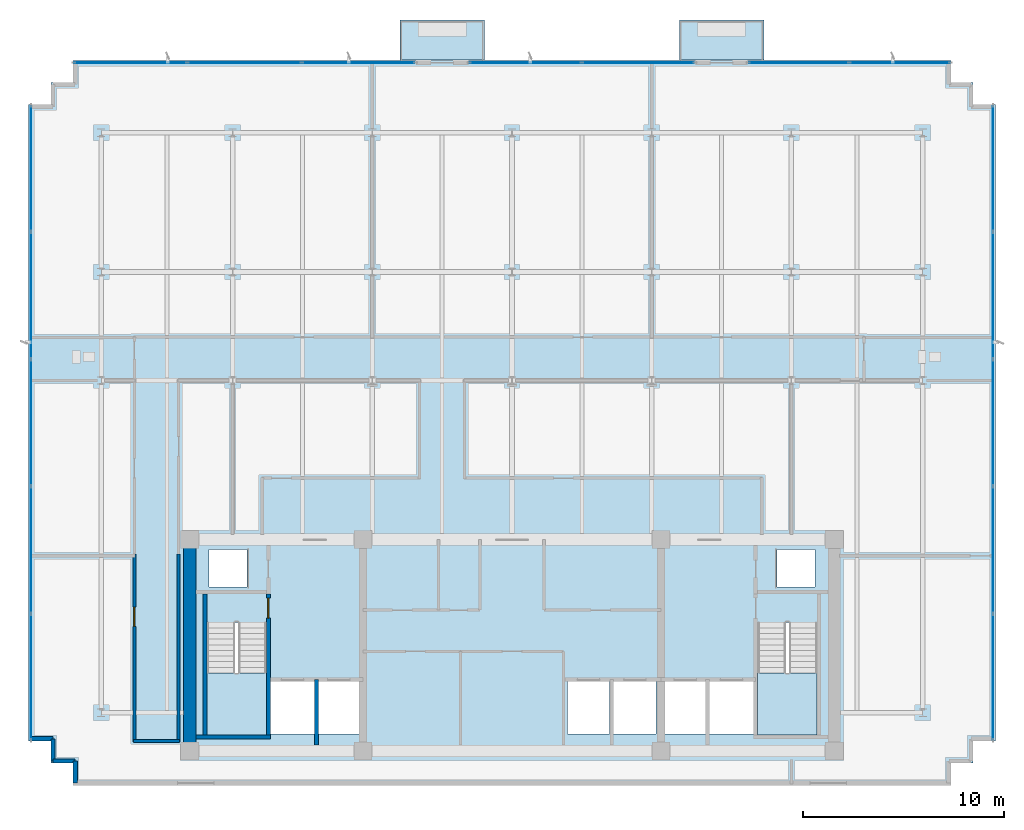
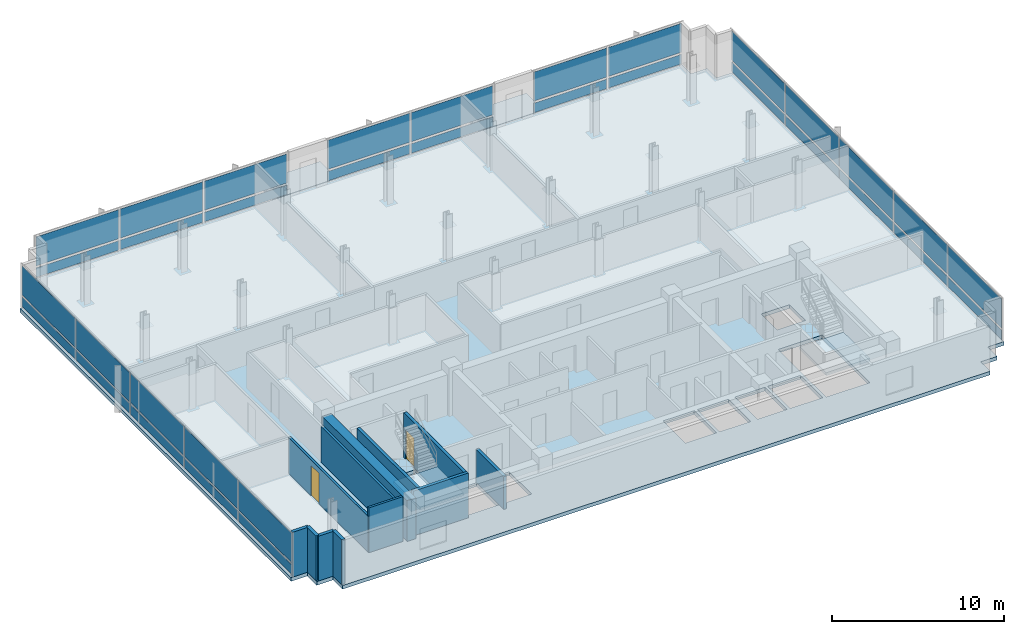
# One storey, part 7 of 15: 34 plates, 12 walls, 5 slabs, 2 doors, 2 openings, 7 elements without a shape of their own.
"""IFC4 building model written with IfcOpenShell, lengths in metres."""

from ifc_helpers import new_model, si_unit, direction, frame, frame_2d, origin, origin_2d, place, context, subcontext, project, spatial, polyline, rectangle, outline, extrude, material, layer, layer_set, type_object, element, fill, aggregate, save


model = new_model("IFC4")

# Units and contexts
model_context = context("Model", 3, precision=1e-05, world=origin(), true_north=direction((0.0, 1.0)))
body_context = subcontext(model_context, "Body", "Model", "MODEL_VIEW")
ifc_project = project(units=[si_unit("LENGTHUNIT", "METRE"), si_unit("AREAUNIT", "SQUARE_METRE"), si_unit("VOLUMEUNIT", "CUBIC_METRE"), si_unit("PLANEANGLEUNIT", "RADIAN"), si_unit("MASSUNIT", "GRAM", prefix="KILO")], contexts=[model_context])

# Site, building, storey
site_placement = place(None, origin())
site = spatial("IfcSite", under=ifc_project, at=site_placement, CompositionType="ELEMENT")
building_placement = place(site_placement, origin())
building = spatial("IfcBuilding", under=site, at=building_placement, Name="Solmavex Isthmus Hotel", CompositionType="ELEMENT")
storey_placement = place(building_placement, frame((0.0, 0.0, 273.0)))
storey = spatial("IfcBuildingStorey", under=building, at=storey_placement, Name="L74", CompositionType="ELEMENT", Elevation=273.0)

# Curtain wall, plates
ifc_material_1 = material(Name="Aluminium alloy 6063-T6", Category="aluminium")
curtain_wall_type = type_object("IfcCurtainWallType", Name="CW-SYS-04", PredefinedType="NOTDEFINED", material=ifc_material_1)
curtain_wall_1_placement = place(storey_placement, origin())
curtain_wall_1 = element("IfcCurtainWall", 1, at=curtain_wall_1_placement, inside=storey, type_object=curtain_wall_type, Name="Stick Curtain Wall CWL-L74-N1", PredefinedType="NOTDEFINED")
ifc_material_2 = material(Name="Clear low-E laminated glass", Category="glass")
ifc_layer_1 = layer(ifc_material_2, 0.033935546875)
ifc_layer_set_1 = layer_set([ifc_layer_1], Name="Clear low-E laminated glass")
plate_type = type_object("IfcPlateType", Name="CW-SYS-04-PNL", PredefinedType="CURTAIN_PANEL", material=ifc_layer_set_1)
plate_1_placement = place(storey_placement, frame((-18.942626953125, 21.179931640625, 0.14990234375), z_axis=(0.0, 0.0, 1.0), x_axis=(1.0, 0.0, 0.0)))
plate_1 = element("IfcPlate", 2, at=plate_1_placement, type_object=plate_type, Name="CW-04 panel 1.1", PredefinedType="CURTAIN_PANEL", context=body_context, shape_type="SweptSolid", body=[
    extrude(rectangle(XDim=5.56494140625, YDim=0.033935546875, at=origin_2d()), origin(), (0.0, 0.0, 1.0), 0.675048828125),
])
plate_2_placement = place(storey_placement, frame((-18.942626953125, 21.179931640625, 0.97509765625), z_axis=(0.0, 0.0, 1.0), x_axis=(1.0, 0.0, 0.0)))
plate_2 = element("IfcPlate", 3, at=plate_2_placement, type_object=plate_type, Name="CW-04 panel 1.2", PredefinedType="CURTAIN_PANEL", context=body_context, shape_type="SweptSolid", body=[
    extrude(rectangle(XDim=5.56494140625, YDim=0.033935546875, at=origin_2d()), origin(), (0.0, 0.0, 1.0), 2.06494140625),
])
plate_3_placement = place(storey_placement, frame((-13.283935546875, 21.179931640625, 0.14990234375), z_axis=(0.0, 0.0, 1.0), x_axis=(1.0, 0.0, 0.0)))
plate_3 = element("IfcPlate", 4, at=plate_3_placement, type_object=plate_type, Name="CW-04 panel 2.1", PredefinedType="CURTAIN_PANEL", context=body_context, shape_type="SweptSolid", body=[
    extrude(rectangle(XDim=5.602294921875, YDim=0.033935546875, at=origin_2d()), origin(), (0.0, 0.0, 1.0), 0.675048828125),
])
plate_4_placement = place(storey_placement, frame((-13.283935546875, 21.179931640625, 0.97509765625), z_axis=(0.0, 0.0, 1.0), x_axis=(1.0, 0.0, 0.0)))
plate_4 = element("IfcPlate", 5, at=plate_4_placement, type_object=plate_type, Name="CW-04 panel 2.2", PredefinedType="CURTAIN_PANEL", context=body_context, shape_type="SweptSolid", body=[
    extrude(rectangle(XDim=5.602294921875, YDim=0.033935546875, at=origin_2d()), origin(), (0.0, 0.0, 1.0), 2.06494140625),
])
plate_5_placement = place(storey_placement, frame((-7.62548828125, 21.179931640625, 0.14990234375), z_axis=(0.0, 0.0, 1.0), x_axis=(1.0, 0.0, 0.0)))
plate_5 = element("IfcPlate", 6, at=plate_5_placement, type_object=plate_type, Name="CW-04 panel 3.1", PredefinedType="CURTAIN_PANEL", context=body_context, shape_type="SweptSolid", body=[
    extrude(rectangle(XDim=5.56494140625, YDim=0.033935546875, at=origin_2d()), origin(), (0.0, 0.0, 1.0), 0.675048828125),
])
plate_6_placement = place(storey_placement, frame((-7.62548828125, 21.179931640625, 0.97509765625), z_axis=(0.0, 0.0, 1.0), x_axis=(1.0, 0.0, 0.0)))
plate_6 = element("IfcPlate", 7, at=plate_6_placement, type_object=plate_type, Name="CW-04 panel 3.2", PredefinedType="CURTAIN_PANEL", context=body_context, shape_type="SweptSolid", body=[
    extrude(rectangle(XDim=5.56494140625, YDim=0.033935546875, at=origin_2d()), origin(), (0.0, 0.0, 1.0), 2.06494140625),
])
aggregate(curtain_wall_1, [plate_1, plate_2, plate_3, plate_4, plate_5, plate_6])

curtain_wall_2_placement = place(storey_placement, origin())
curtain_wall_2 = element("IfcCurtainWall", 8, at=curtain_wall_2_placement, inside=storey, type_object=curtain_wall_type, Name="Stick Curtain Wall CWL-L74-N2", PredefinedType="NOTDEFINED")
plate_7_placement = place(storey_placement, frame((0.668701171875, 21.179931640625, 0.14990234375), z_axis=(0.0, 0.0, 1.0), x_axis=(1.0, 0.0, 0.0)))
plate_7 = element("IfcPlate", 9, at=plate_7_placement, type_object=plate_type, Name="CW-04 panel 1.1", PredefinedType="CURTAIN_PANEL", context=body_context, shape_type="SweptSolid", body=[
    extrude(rectangle(XDim=5.5234375, YDim=0.033935546875, at=origin_2d()), origin(), (0.0, 0.0, 1.0), 0.675048828125),
])
plate_8_placement = place(storey_placement, frame((0.668701171875, 21.179931640625, 0.97509765625), z_axis=(0.0, 0.0, 1.0), x_axis=(1.0, 0.0, 0.0)))
plate_8 = element("IfcPlate", 10, at=plate_8_placement, type_object=plate_type, Name="CW-04 panel 1.2", PredefinedType="CURTAIN_PANEL", context=body_context, shape_type="SweptSolid", body=[
    extrude(rectangle(XDim=5.5234375, YDim=0.033935546875, at=origin_2d()), origin(), (0.0, 0.0, 1.0), 2.06494140625),
])
plate_9_placement = place(storey_placement, frame((6.267333984375, 21.179931640625, 0.14990234375), z_axis=(0.0, 0.0, 1.0), x_axis=(1.0, 0.0, 0.0)))
plate_9 = element("IfcPlate", 11, at=plate_9_placement, type_object=plate_type, Name="CW-04 panel 2.1", PredefinedType="CURTAIN_PANEL", context=body_context, shape_type="SweptSolid", body=[
    extrude(rectangle(XDim=5.5234375, YDim=0.033935546875, at=origin_2d()), origin(), (0.0, 0.0, 1.0), 0.675048828125),
])
plate_10_placement = place(storey_placement, frame((6.267333984375, 21.179931640625, 0.97509765625), z_axis=(0.0, 0.0, 1.0), x_axis=(1.0, 0.0, 0.0)))
plate_10 = element("IfcPlate", 12, at=plate_10_placement, type_object=plate_type, Name="CW-04 panel 2.2", PredefinedType="CURTAIN_PANEL", context=body_context, shape_type="SweptSolid", body=[
    extrude(rectangle(XDim=5.5234375, YDim=0.033935546875, at=origin_2d()), origin(), (0.0, 0.0, 1.0), 2.06494140625),
])
aggregate(curtain_wall_2, [plate_7, plate_8, plate_9, plate_10])

curtain_wall_3_placement = place(storey_placement, origin())
curtain_wall_3 = element("IfcCurtainWall", 13, at=curtain_wall_3_placement, inside=storey, type_object=curtain_wall_type, Name="Stick Curtain Wall CWL-L74-N3", PredefinedType="NOTDEFINED")
plate_11_placement = place(storey_placement, frame((14.246826171875, 21.179931640625, 0.14990234375), z_axis=(0.0, 0.0, 1.0), x_axis=(1.0, 0.0, 0.0)))
plate_11 = element("IfcPlate", 14, at=plate_11_placement, type_object=plate_type, Name="CW-04 panel 1.1", PredefinedType="CURTAIN_PANEL", context=body_context, shape_type="SweptSolid", body=[
    extrude(rectangle(XDim=4.935546875, YDim=0.033935546875, at=origin_2d()), origin(), (0.0, 0.0, 1.0), 0.675048828125),
])
plate_12_placement = place(storey_placement, frame((14.246826171875, 21.179931640625, 0.97509765625), z_axis=(0.0, 0.0, 1.0), x_axis=(1.0, 0.0, 0.0)))
plate_12 = element("IfcPlate", 15, at=plate_12_placement, type_object=plate_type, Name="CW-04 panel 1.2", PredefinedType="CURTAIN_PANEL", context=body_context, shape_type="SweptSolid", body=[
    extrude(rectangle(XDim=4.935546875, YDim=0.033935546875, at=origin_2d()), origin(), (0.0, 0.0, 1.0), 2.06494140625),
])
plate_13_placement = place(storey_placement, frame((19.25732421875, 21.179931640625, 0.14990234375), z_axis=(0.0, 0.0, 1.0), x_axis=(1.0, 0.0, 0.0)))
plate_13 = element("IfcPlate", 16, at=plate_13_placement, type_object=plate_type, Name="CW-04 panel 2.1", PredefinedType="CURTAIN_PANEL", context=body_context, shape_type="SweptSolid", body=[
    extrude(rectangle(XDim=4.935546875, YDim=0.033935546875, at=origin_2d()), origin(), (0.0, 0.0, 1.0), 0.675048828125),
])
plate_14_placement = place(storey_placement, frame((19.25732421875, 21.179931640625, 0.97509765625), z_axis=(0.0, 0.0, 1.0), x_axis=(1.0, 0.0, 0.0)))
plate_14 = element("IfcPlate", 17, at=plate_14_placement, type_object=plate_type, Name="CW-04 panel 2.2", PredefinedType="CURTAIN_PANEL", context=body_context, shape_type="SweptSolid", body=[
    extrude(rectangle(XDim=4.935546875, YDim=0.033935546875, at=origin_2d()), origin(), (0.0, 0.0, 1.0), 2.06494140625),
])
aggregate(curtain_wall_3, [plate_11, plate_12, plate_13, plate_14])

curtain_wall_4_placement = place(storey_placement, origin())
curtain_wall_4 = element("IfcCurtainWall", 18, at=curtain_wall_4_placement, inside=storey, type_object=curtain_wall_type, Name="Stick Curtain Wall CWL-L74-W1", PredefinedType="NOTDEFINED")
plate_15_placement = place(storey_placement, frame((-23.8798828125, -9.3212890625, 0.14990234375), z_axis=(0.0, 0.0, 1.0), x_axis=(0.0, 1.0, 0.0)))
plate_15 = element("IfcPlate", 19, at=plate_15_placement, type_object=plate_type, Name="CW-04 panel 1.1", PredefinedType="CURTAIN_PANEL", context=body_context, shape_type="SweptSolid", body=[
    extrude(rectangle(XDim=6.20751953125, YDim=0.033935546875, at=origin_2d()), origin(), (0.0, 0.0, 1.0), 0.675048828125),
])
plate_16_placement = place(storey_placement, frame((-23.8798828125, -9.3212890625, 0.97509765625), z_axis=(0.0, 0.0, 1.0), x_axis=(0.0, 1.0, 0.0)))
plate_16 = element("IfcPlate", 20, at=plate_16_placement, type_object=plate_type, Name="CW-04 panel 1.2", PredefinedType="CURTAIN_PANEL", context=body_context, shape_type="SweptSolid", body=[
    extrude(rectangle(XDim=6.20751953125, YDim=0.033935546875, at=origin_2d()), origin(), (0.0, 0.0, 1.0), 2.06494140625),
])
plate_17_placement = place(storey_placement, frame((-23.8798828125, -3.02001953125, 0.14990234375), z_axis=(0.0, 0.0, 1.0), x_axis=(0.0, 1.0, 0.0)))
plate_17 = element("IfcPlate", 21, at=plate_17_placement, type_object=plate_type, Name="CW-04 panel 2.1", PredefinedType="CURTAIN_PANEL", context=body_context, shape_type="SweptSolid", body=[
    extrude(rectangle(XDim=6.2451171875, YDim=0.033935546875, at=origin_2d()), origin(), (0.0, 0.0, 1.0), 0.675048828125),
])
plate_18_placement = place(storey_placement, frame((-23.8798828125, -3.02001953125, 0.97509765625), z_axis=(0.0, 0.0, 1.0), x_axis=(0.0, 1.0, 0.0)))
plate_18 = element("IfcPlate", 22, at=plate_18_placement, type_object=plate_type, Name="CW-04 panel 2.2", PredefinedType="CURTAIN_PANEL", context=body_context, shape_type="SweptSolid", body=[
    extrude(rectangle(XDim=6.2451171875, YDim=0.033935546875, at=origin_2d()), origin(), (0.0, 0.0, 1.0), 2.06494140625),
])
plate_19_placement = place(storey_placement, frame((-23.8798828125, 3.300048828125, 0.14990234375), z_axis=(0.0, 0.0, 1.0), x_axis=(0.0, 1.0, 0.0)))
plate_19 = element("IfcPlate", 23, at=plate_19_placement, type_object=plate_type, Name="CW-04 panel 3.1", PredefinedType="CURTAIN_PANEL", context=body_context, shape_type="SweptSolid", body=[
    extrude(rectangle(XDim=6.2451171875, YDim=0.033935546875, at=origin_2d()), origin(), (0.0, 0.0, 1.0), 0.675048828125),
])
plate_20_placement = place(storey_placement, frame((-23.8798828125, 3.300048828125, 0.97509765625), z_axis=(0.0, 0.0, 1.0), x_axis=(0.0, 1.0, 0.0)))
plate_20 = element("IfcPlate", 24, at=plate_20_placement, type_object=plate_type, Name="CW-04 panel 3.2", PredefinedType="CURTAIN_PANEL", context=body_context, shape_type="SweptSolid", body=[
    extrude(rectangle(XDim=6.2451171875, YDim=0.033935546875, at=origin_2d()), origin(), (0.0, 0.0, 1.0), 2.06494140625),
])
plate_21_placement = place(storey_placement, frame((-23.8798828125, 9.6201171875, 0.14990234375), z_axis=(0.0, 0.0, 1.0), x_axis=(0.0, 1.0, 0.0)))
plate_21 = element("IfcPlate", 25, at=plate_21_placement, type_object=plate_type, Name="CW-04 panel 4.1", PredefinedType="CURTAIN_PANEL", context=body_context, shape_type="SweptSolid", body=[
    extrude(rectangle(XDim=6.2451171875, YDim=0.033935546875, at=origin_2d()), origin(), (0.0, 0.0, 1.0), 0.675048828125),
])
plate_22_placement = place(storey_placement, frame((-23.8798828125, 9.6201171875, 0.97509765625), z_axis=(0.0, 0.0, 1.0), x_axis=(0.0, 1.0, 0.0)))
plate_22 = element("IfcPlate", 26, at=plate_22_placement, type_object=plate_type, Name="CW-04 panel 4.2", PredefinedType="CURTAIN_PANEL", context=body_context, shape_type="SweptSolid", body=[
    extrude(rectangle(XDim=6.2451171875, YDim=0.033935546875, at=origin_2d()), origin(), (0.0, 0.0, 1.0), 2.06494140625),
])
plate_23_placement = place(storey_placement, frame((-23.8798828125, 15.921142578125, 0.14990234375), z_axis=(0.0, 0.0, 1.0), x_axis=(0.0, 1.0, 0.0)))
plate_23 = element("IfcPlate", 27, at=plate_23_placement, type_object=plate_type, Name="CW-04 panel 5.1", PredefinedType="CURTAIN_PANEL", context=body_context, shape_type="SweptSolid", body=[
    extrude(rectangle(XDim=6.20751953125, YDim=0.033935546875, at=origin_2d()), origin(), (0.0, 0.0, 1.0), 0.675048828125),
])
plate_24_placement = place(storey_placement, frame((-23.8798828125, 15.921142578125, 0.97509765625), z_axis=(0.0, 0.0, 1.0), x_axis=(0.0, 1.0, 0.0)))
plate_24 = element("IfcPlate", 28, at=plate_24_placement, type_object=plate_type, Name="CW-04 panel 5.2", PredefinedType="CURTAIN_PANEL", context=body_context, shape_type="SweptSolid", body=[
    extrude(rectangle(XDim=6.20751953125, YDim=0.033935546875, at=origin_2d()), origin(), (0.0, 0.0, 1.0), 2.06494140625),
])
aggregate(curtain_wall_4, [plate_15, plate_16, plate_17, plate_18, plate_19, plate_20, plate_21, plate_22, plate_23, plate_24])

curtain_wall_5_placement = place(storey_placement, origin())
curtain_wall_5 = element("IfcCurtainWall", 29, at=curtain_wall_5_placement, inside=storey, type_object=curtain_wall_type, Name="Stick Curtain Wall CWL-L74-E1", PredefinedType="NOTDEFINED")
plate_25_placement = place(storey_placement, frame((23.8798828125, -9.3212890625, 0.14990234375), z_axis=(0.0, 0.0, 1.0), x_axis=(0.0, 1.0, 0.0)))
plate_25 = element("IfcPlate", 30, at=plate_25_placement, type_object=plate_type, Name="CW-04 panel 1.1", PredefinedType="CURTAIN_PANEL", context=body_context, shape_type="SweptSolid", body=[
    extrude(rectangle(XDim=6.20751953125, YDim=0.033935546875, at=origin_2d()), origin(), (0.0, 0.0, 1.0), 0.675048828125),
])
plate_26_placement = place(storey_placement, frame((23.8798828125, -9.3212890625, 0.97509765625), z_axis=(0.0, 0.0, 1.0), x_axis=(0.0, 1.0, 0.0)))
plate_26 = element("IfcPlate", 31, at=plate_26_placement, type_object=plate_type, Name="CW-04 panel 1.2", PredefinedType="CURTAIN_PANEL", context=body_context, shape_type="SweptSolid", body=[
    extrude(rectangle(XDim=6.20751953125, YDim=0.033935546875, at=origin_2d()), origin(), (0.0, 0.0, 1.0), 2.06494140625),
])
plate_27_placement = place(storey_placement, frame((23.8798828125, -3.02001953125, 0.14990234375), z_axis=(0.0, 0.0, 1.0), x_axis=(0.0, 1.0, 0.0)))
plate_27 = element("IfcPlate", 32, at=plate_27_placement, type_object=plate_type, Name="CW-04 panel 2.1", PredefinedType="CURTAIN_PANEL", context=body_context, shape_type="SweptSolid", body=[
    extrude(rectangle(XDim=6.2451171875, YDim=0.033935546875, at=origin_2d()), origin(), (0.0, 0.0, 1.0), 0.675048828125),
])
plate_28_placement = place(storey_placement, frame((23.8798828125, -3.02001953125, 0.97509765625), z_axis=(0.0, 0.0, 1.0), x_axis=(0.0, 1.0, 0.0)))
plate_28 = element("IfcPlate", 33, at=plate_28_placement, type_object=plate_type, Name="CW-04 panel 2.2", PredefinedType="CURTAIN_PANEL", context=body_context, shape_type="SweptSolid", body=[
    extrude(rectangle(XDim=6.2451171875, YDim=0.033935546875, at=origin_2d()), origin(), (0.0, 0.0, 1.0), 2.06494140625),
])
plate_29_placement = place(storey_placement, frame((23.8798828125, 3.300048828125, 0.14990234375), z_axis=(0.0, 0.0, 1.0), x_axis=(0.0, 1.0, 0.0)))
plate_29 = element("IfcPlate", 34, at=plate_29_placement, type_object=plate_type, Name="CW-04 panel 3.1", PredefinedType="CURTAIN_PANEL", context=body_context, shape_type="SweptSolid", body=[
    extrude(rectangle(XDim=6.2451171875, YDim=0.033935546875, at=origin_2d()), origin(), (0.0, 0.0, 1.0), 0.675048828125),
])
plate_30_placement = place(storey_placement, frame((23.8798828125, 3.300048828125, 0.97509765625), z_axis=(0.0, 0.0, 1.0), x_axis=(0.0, 1.0, 0.0)))
plate_30 = element("IfcPlate", 35, at=plate_30_placement, type_object=plate_type, Name="CW-04 panel 3.2", PredefinedType="CURTAIN_PANEL", context=body_context, shape_type="SweptSolid", body=[
    extrude(rectangle(XDim=6.2451171875, YDim=0.033935546875, at=origin_2d()), origin(), (0.0, 0.0, 1.0), 2.06494140625),
])
plate_31_placement = place(storey_placement, frame((23.8798828125, 9.6201171875, 0.14990234375), z_axis=(0.0, 0.0, 1.0), x_axis=(0.0, 1.0, 0.0)))
plate_31 = element("IfcPlate", 36, at=plate_31_placement, type_object=plate_type, Name="CW-04 panel 4.1", PredefinedType="CURTAIN_PANEL", context=body_context, shape_type="SweptSolid", body=[
    extrude(rectangle(XDim=6.2451171875, YDim=0.033935546875, at=origin_2d()), origin(), (0.0, 0.0, 1.0), 0.675048828125),
])
plate_32_placement = place(storey_placement, frame((23.8798828125, 9.6201171875, 0.97509765625), z_axis=(0.0, 0.0, 1.0), x_axis=(0.0, 1.0, 0.0)))
plate_32 = element("IfcPlate", 37, at=plate_32_placement, type_object=plate_type, Name="CW-04 panel 4.2", PredefinedType="CURTAIN_PANEL", context=body_context, shape_type="SweptSolid", body=[
    extrude(rectangle(XDim=6.2451171875, YDim=0.033935546875, at=origin_2d()), origin(), (0.0, 0.0, 1.0), 2.06494140625),
])
plate_33_placement = place(storey_placement, frame((23.8798828125, 15.921142578125, 0.14990234375), z_axis=(0.0, 0.0, 1.0), x_axis=(0.0, 1.0, 0.0)))
plate_33 = element("IfcPlate", 38, at=plate_33_placement, type_object=plate_type, Name="CW-04 panel 5.1", PredefinedType="CURTAIN_PANEL", context=body_context, shape_type="SweptSolid", body=[
    extrude(rectangle(XDim=6.20751953125, YDim=0.033935546875, at=origin_2d()), origin(), (0.0, 0.0, 1.0), 0.675048828125),
])
plate_34_placement = place(storey_placement, frame((23.8798828125, 15.921142578125, 0.97509765625), z_axis=(0.0, 0.0, 1.0), x_axis=(0.0, 1.0, 0.0)))
plate_34 = element("IfcPlate", 39, at=plate_34_placement, type_object=plate_type, Name="CW-04 panel 5.2", PredefinedType="CURTAIN_PANEL", context=body_context, shape_type="SweptSolid", body=[
    extrude(rectangle(XDim=6.20751953125, YDim=0.033935546875, at=origin_2d()), origin(), (0.0, 0.0, 1.0), 2.06494140625),
])
aggregate(curtain_wall_5, [plate_25, plate_26, plate_27, plate_28, plate_29, plate_30, plate_31, plate_32, plate_33, plate_34])

# Slabs
ifc_material_3 = material(Name="Concrete C40/50", Category="concrete")
ifc_layer_2 = layer(ifc_material_3, 0.239990234375)
ifc_layer_set_2 = layer_set([ifc_layer_2], Name="Concrete C40/50")
slab_type_1 = type_object("IfcSlabType", Name="SLAB-BALC-240", PredefinedType="FLOOR", material=ifc_layer_set_2)
slab_1_placement = place(storey_placement, frame((0.0, 0.0, -0.239990234375)))
element("IfcSlab", 40, at=slab_1_placement, inside=storey, type_object=slab_type_1, Name="Tree-Planter Balcony Slab L74-B1", PredefinedType="FLOOR", context=body_context, shape_type="SweptSolid", body=[
    extrude(outline(polyline([(-5.568115234375, 21.31494140625), (-1.367919921875, 21.31494140625), (-1.367919921875, 23.300048828125), (-5.568115234375, 23.300048828125), (-5.568115234375, 21.31494140625)])), origin(), (0.0, 0.0, 1.0), 0.239990234375),
])
slab_2_placement = place(storey_placement, frame((0.0, 0.0, -0.239990234375)))
element("IfcSlab", 41, at=slab_2_placement, inside=storey, type_object=slab_type_1, Name="Tree-Planter Balcony Slab L74-B2", PredefinedType="FLOOR", context=body_context, shape_type="SweptSolid", body=[
    extrude(outline(polyline([(8.303955078125, 21.31494140625), (12.50390625, 21.31494140625), (12.50390625, 23.300048828125), (8.303955078125, 23.300048828125), (8.303955078125, 21.31494140625)])), origin(), (0.0, 0.0, 1.0), 0.239990234375),
])
ifc_layer_3 = layer(ifc_material_3, 0.260009765625)
ifc_layer_set_3 = layer_set([ifc_layer_3], Name="Concrete C40/50")
slab_type_2 = type_object("IfcSlabType", Name="SLAB-TYP-260", PredefinedType="FLOOR", material=ifc_layer_set_3)
slab_3_placement = place(storey_placement, frame((0.0, 0.0, -0.260009765625)))
element("IfcSlab", 42, at=slab_3_placement, inside=storey, type_object=slab_type_2, Name="Tower Structural Floor Slab L74", PredefinedType="FLOOR", context=body_context, shape_type="SweptSolid", body=[
    extrude(outline(polyline([(-20.699951171875, -14.699951171875), (20.699951171875, -14.699951171875), (21.800048828125, -14.699951171875), (21.800048828125, -13.60009765625), (22.89990234375, -13.60009765625), (22.89990234375, -12.5), (24.0, -12.5), (24.0, -11.39990234375), (24.0, 18.0), (24.0, 19.10009765625), (22.89990234375, 19.10009765625), (22.89990234375, 20.199951171875), (21.800048828125, 20.199951171875), (21.800048828125, 21.300048828125), (20.699951171875, 21.300048828125), (-20.699951171875, 21.300048828125), (-21.800048828125, 21.300048828125), (-21.800048828125, 20.199951171875), (-22.89990234375, 20.199951171875), (-22.89990234375, 19.10009765625), (-24.0, 19.10009765625), (-24.0, 18.0), (-24.0, -11.39990234375), (-24.0, -12.5), (-22.89990234375, -12.5), (-22.89990234375, -13.60009765625), (-21.800048828125, -13.60009765625), (-21.800048828125, -14.699951171875), (-20.699951171875, -14.699951171875)]), holes=[polyline([(-15.14990234375, -6.617919921875), (-15.14990234375, -12.199951171875), (-12.199951171875, -12.199951171875), (-12.199951171875, -6.617919921875), (-15.14990234375, -6.617919921875)]), polyline([(12.199951171875, -6.617919921875), (12.199951171875, -12.199951171875), (15.14990234375, -12.199951171875), (15.14990234375, -6.617919921875), (12.199951171875, -6.617919921875)]), polyline([(-12.0, -12.14990234375), (-9.800048828125, -12.14990234375), (-9.800048828125, -9.550048828125), (-12.0, -9.550048828125), (-12.0, -12.14990234375)]), polyline([(9.800048828125, -12.14990234375), (12.0, -12.14990234375), (12.0, -9.550048828125), (9.800048828125, -9.550048828125), (9.800048828125, -12.14990234375)]), polyline([(-9.60009765625, -12.14990234375), (-7.60009765625, -12.14990234375), (-7.60009765625, -9.550048828125), (-9.60009765625, -9.550048828125), (-9.60009765625, -12.14990234375)]), polyline([(7.60009765625, -12.14990234375), (9.60009765625, -12.14990234375), (9.60009765625, -9.550048828125), (7.60009765625, -9.550048828125), (7.60009765625, -12.14990234375)]), polyline([(2.75, -12.14990234375), (4.85009765625, -12.14990234375), (4.85009765625, -9.550048828125), (2.75, -9.550048828125), (2.75, -12.14990234375)]), polyline([(5.050048828125, -12.14990234375), (7.14990234375, -12.14990234375), (7.14990234375, -9.550048828125), (5.050048828125, -9.550048828125), (5.050048828125, -12.14990234375)]), polyline([(-15.050048828125, -4.85009765625), (-13.14990234375, -4.85009765625), (-13.14990234375, -3.0), (-15.050048828125, -3.0), (-15.050048828125, -4.85009765625)]), polyline([(13.14990234375, -4.85009765625), (15.050048828125, -4.85009765625), (15.050048828125, -3.0), (13.14990234375, -3.0), (13.14990234375, -4.85009765625)])]), origin(), (0.0, 0.0, 1.0), 0.260009765625),
])

# Stair, slab
stair_type_1 = type_object("IfcStairType", Name="STR-ST-1", PredefinedType="HALF_TURN_STAIR", material=ifc_material_3)
stair_1_placement = place(storey_placement, origin())
stair_1 = element("IfcStair", 43, at=stair_1_placement, inside=storey, type_object=stair_type_1, Name="L74 Protected Exit Stair ST-1", PredefinedType="HALF_TURN_STAIR")
ifc_layer_4 = layer(ifc_material_3, 0.219970703125)
ifc_layer_set_4 = layer_set([ifc_layer_4], Name="Concrete C40/50")
slab_type_3 = type_object("IfcSlabType", Name="SLD-ST-1", PredefinedType="LANDING", material=ifc_layer_set_4)
slab_4_placement = place(storey_placement, frame((0.0, 0.0, 1.52490234375)))
slab_4 = element("IfcSlab", 44, at=slab_4_placement, type_object=slab_type_3, Name="ST-1 landing 1", PredefinedType="LANDING", context=body_context, shape_type="SweptSolid", body=[
    extrude(outline(polyline([(-15.14990234375, -9.1201171875), (-15.14990234375, -12.199951171875), (-12.199951171875, -12.199951171875), (-12.199951171875, -9.1201171875), (-15.14990234375, -9.1201171875)])), origin(), (0.0, 0.0, 1.0), 0.2001953125),
])
aggregate(stair_1, [slab_4])

stair_type_2 = type_object("IfcStairType", Name="STR-ST-2", PredefinedType="HALF_TURN_STAIR", material=ifc_material_3)
stair_2_placement = place(storey_placement, origin())
stair_2 = element("IfcStair", 45, at=stair_2_placement, inside=storey, type_object=stair_type_2, Name="L74 Protected Exit Stair ST-2", PredefinedType="HALF_TURN_STAIR")
ifc_layer_5 = layer(ifc_material_3, 0.219970703125)
ifc_layer_set_5 = layer_set([ifc_layer_5], Name="Concrete C40/50")
slab_type_4 = type_object("IfcSlabType", Name="SLD-ST-2", PredefinedType="LANDING", material=ifc_layer_set_5)
slab_5_placement = place(storey_placement, frame((0.0, 0.0, 1.52490234375)))
slab_5 = element("IfcSlab", 46, at=slab_5_placement, type_object=slab_type_4, Name="ST-2 landing 1", PredefinedType="LANDING", context=body_context, shape_type="SweptSolid", body=[
    extrude(outline(polyline([(12.199951171875, -9.1201171875), (12.199951171875, -12.199951171875), (15.14990234375, -12.199951171875), (15.14990234375, -9.1201171875), (12.199951171875, -9.1201171875)])), origin(), (0.0, 0.0, 1.0), 0.2001953125),
])
aggregate(stair_2, [slab_5])

# Walls
ifc_material_4 = material(Name="Precast Concrete C40/50", Category="concrete")
ifc_layer_6 = layer(ifc_material_4, 0.25)
ifc_layer_set_6 = layer_set([ifc_layer_6], Name="Precast Concrete C40/50")
wall_type_1 = type_object("IfcWallType", Name="EW-TWR-250", PredefinedType="STANDARD", material=ifc_layer_set_6)
for number, where, z_axis, x_axis, name in (
    (47, (-21.68994140625, -14.590087890625, 0.0), (0.0, 0.0, 1.0), (0.0, 1.0, 0.0), "Serrated Corner Facade Panel L74-01"),
    (48, (-21.68994140625, -13.489990234375, 0.0), (0.0, 0.0, 1.0), (-1.0, 0.0, 0.0), "Serrated Corner Facade Panel L74-02"),
    (49, (-22.7900390625, -13.489990234375, 0.0), (0.0, 0.0, 1.0), (0.0, 1.0, 0.0), "Serrated Corner Facade Panel L74-03"),
):
    element("IfcWall", number, at=place(storey_placement, frame(where, z_axis=z_axis, x_axis=x_axis)), inside=storey, type_object=wall_type_1, Name=name, PredefinedType="STANDARD", context=body_context, shape_type="SweptSolid", body=[
        extrude(rectangle(XDim=1.10009765625, YDim=0.219970703125, at=frame_2d((0.550048828125, 0.0))), origin(), (0.0, 0.0, 1.0), 3.18994140625),
    ])
wall_1_placement = place(storey_placement, frame((-22.7900390625, -12.389892578125, 0.0), z_axis=(0.0, 0.0, 1.0), x_axis=(-1.0, 0.0, 0.0)))
element("IfcWall", 50, at=wall_1_placement, inside=storey, type_object=wall_type_1, Name="Serrated Corner Facade Panel L74-04", PredefinedType="STANDARD", context=body_context, shape_type="SweptSolid", body=[
    extrude(rectangle(XDim=1.099853515625, YDim=0.219970703125, at=frame_2d((0.5498046875, 0.0))), origin(), (0.0, 0.0, 1.0), 3.18994140625),
])
ifc_material_5 = material(Name="Gypsum plasterboard lining", Category="gypsum")
ifc_layer_7 = layer(ifc_material_5, 0.14990234375)
ifc_layer_set_7 = layer_set([ifc_layer_7], Name="Gypsum plasterboard lining")
wall_type_2 = type_object("IfcWallType", Name="IW-CORR-150", PredefinedType="PARTITIONING", material=ifc_layer_set_7)
wall_2_placement = place(storey_placement, frame((-16.550048828125, -3.218017578125, 0.0), z_axis=(0.0, 0.0, 1.0), x_axis=(0.0, -1.0, 0.0)))
element("IfcWall", 51, at=wall_2_placement, inside=storey, type_object=wall_type_2, Name="Interior Partition Wall W-L74-P024", PredefinedType="PARTITIONING", context=body_context, shape_type="SweptSolid", body=[
    extrude(rectangle(XDim=9.322021484375, YDim=0.14990234375, at=frame_2d((4.6611328125, 0.0))), origin(), (0.0, 0.0, 1.0), 2.5576171875),
])
wall_3_placement = place(storey_placement, frame((-16.510009765625, -12.5, 0.0), z_axis=(0.0, 0.0, 1.0), x_axis=(-1.0, 0.0, 0.0)))
element("IfcWall", 52, at=wall_3_placement, inside=storey, type_object=wall_type_2, Name="Interior Partition Wall W-L74-P025", PredefinedType="PARTITIONING", context=body_context, shape_type="SweptSolid", body=[
    extrude(rectangle(XDim=2.280029296875, YDim=0.14990234375, at=frame_2d((1.14013671875, 0.0))), origin(), (0.0, 0.0, 1.0), 3.18994140625),
])

# Wall, opening, door
wall_4_placement = place(storey_placement, frame((-18.75, -12.5400390625, 0.0), z_axis=(0.0, 0.0, 1.0), x_axis=(0.0, 1.0, 0.0)))
wall_4 = element("IfcWall", 53, at=wall_4_placement, inside=storey, type_object=wall_type_2, Name="Interior Partition Wall W-L74-P026", PredefinedType="PARTITIONING", context=body_context, shape_type="SweptSolid", body=[
    extrude(rectangle(XDim=9.322021484375, YDim=0.14990234375, at=frame_2d((4.6611328125, 0.0))), origin(), (0.0, 0.0, 1.0), 2.5576171875),
])
opening_1_placement = place(wall_4_placement, frame((5.73876953125, 0.0, 0.0)))
opening_1 = element("IfcOpeningElement", 54, at=opening_1_placement, cuts=wall_4, Name="Opening ID-C095", PredefinedType="OPENING", context=body_context, shape_type="SweptSolid", body=[
    extrude(rectangle(XDim=0.949951171875, YDim=2.14990234375, at=frame_2d((0.47509765625, 1.074951171875))), frame((0.0, 0.0849609375, 0.0), z_axis=(0.0, -1.0, 0.0), x_axis=(1.0, 0.0, 0.0)), (0.0, 0.0, 1.0), 0.169921875),
])
ifc_material_6 = material(Name="Hardwood timber", Category="wood")
door_type_1 = type_object("IfcDoorType", Name="IDR-FD60-0950", OperationType="NOTDEFINED", PredefinedType="DOOR", material=ifc_material_6)
door_1_placement = place(opening_1_placement, origin())
door_1 = element("IfcDoor", 55, at=door_1_placement, inside=storey, type_object=door_type_1, Name="Executive Hospitality Lounge Door L74-12", OperationType="SINGLE_SWING_RIGHT", OverallHeight=2.14990234375, OverallWidth=0.949951171875, PredefinedType="DOOR", context=body_context, shape_type="SweptSolid", body=[
    extrude(rectangle(XDim=0.949951171875, YDim=2.14990234375, at=frame_2d((0.47509765625, 1.074951171875))), frame((0.0, 0.02490234375, 0.0), z_axis=(0.0, -1.0, 0.0), x_axis=(1.0, 0.0, 0.0)), (0.0, 0.0, 1.0), 0.050048828125),
])
fill(opening_1, door_1)

# Walls
ifc_layer_8 = layer(ifc_material_3, 0.199951171875)
ifc_layer_set_8 = layer_set([ifc_layer_8], Name="Concrete C40/50")
wall_type_3 = type_object("IfcWallType", Name="IW-SHAFT-200", PredefinedType="PARTITIONING", material=ifc_layer_set_8)
wall_5_placement = place(storey_placement, frame((-9.699951171875, -12.699951171875, 0.0), z_axis=(0.0, 0.0, 1.0), x_axis=(0.0, 1.0, 0.0)))
element("IfcWall", 56, at=wall_5_placement, inside=storey, type_object=wall_type_3, Name="Interior Partition Wall W-L74-FFLW-M", PredefinedType="PARTITIONING", context=body_context, shape_type="SweptSolid", body=[
    extrude(rectangle(XDim=3.25, YDim=0.199951171875, at=frame_2d((1.625, 0.0))), origin(), (0.0, 0.0, 1.0), 2.324951171875),
])
ifc_material_7 = material(Name="Concrete C50/60", Category="concrete")
ifc_layer_9 = layer(ifc_material_7, 0.60009765625)
ifc_layer_set_9 = layer_set([ifc_layer_9], Name="Concrete C50/60")
wall_type_4 = type_object("IfcWallType", Name="WALL-CW-600", PredefinedType="SHEAR", material=ifc_layer_set_9)
wall_6_placement = place(storey_placement, frame((-16.0, -12.699951171875, 0.0), z_axis=(0.0, 0.0, 1.0), x_axis=(0.0, 1.0, 0.0)))
element("IfcWall", 57, at=wall_6_placement, inside=storey, type_object=wall_type_4, Name="Core Shear Wall West L74", PredefinedType="SHEAR", context=body_context, shape_type="SweptSolid", body=[
    extrude(rectangle(XDim=9.89990234375, YDim=0.60009765625, at=frame_2d((4.949951171875, 0.0))), origin(), (0.0, 0.0, 1.0), 2.909912109375),
])
ifc_layer_10 = layer(ifc_material_3, 0.199951171875)
ifc_layer_set_10 = layer_set([ifc_layer_10], Name="Concrete C40/50")
wall_type_5 = type_object("IfcWallType", Name="WALL-SW-200", PredefinedType="SOLIDWALL", material=ifc_layer_set_10)
wall_7_placement = place(storey_placement, frame((-15.699951171875, -12.300048828125, 0.0), z_axis=(0.0, 0.0, 1.0), x_axis=(1.0, 0.0, 0.0)))
element("IfcWall", 58, at=wall_7_placement, inside=storey, type_object=wall_type_5, Name="Stairwell Structural Wall SW-L74-ST1-S", PredefinedType="SOLIDWALL", context=body_context, shape_type="SweptSolid", body=[
    extrude(rectangle(XDim=3.699951171875, YDim=0.199951171875, at=frame_2d((1.85009765625, 0.0))), origin(), (0.0, 0.0, 1.0), 3.18994140625),
])
wall_8_placement = place(storey_placement, frame((-15.25, -12.199951171875, 0.0), z_axis=(0.0, 0.0, 1.0), x_axis=(0.0, 1.0, 0.0)))
element("IfcWall", 59, at=wall_8_placement, inside=storey, type_object=wall_type_5, Name="Stairwell Structural Wall SW-L74-ST1-W", PredefinedType="SOLIDWALL", context=body_context, shape_type="SweptSolid", body=[
    extrude(rectangle(XDim=7.0, YDim=0.199951171875, at=frame_2d((3.5, 0.0))), origin(), (0.0, 0.0, 1.0), 3.18994140625),
])

# Wall, opening, door
wall_9_placement = place(storey_placement, frame((-12.10009765625, -12.199951171875, 0.0), z_axis=(0.0, 0.0, 1.0), x_axis=(0.0, 1.0, 0.0)))
wall_9 = element("IfcWall", 60, at=wall_9_placement, inside=storey, type_object=wall_type_5, Name="Stairwell Structural Wall SW-L74-ST1-E", PredefinedType="SOLIDWALL", context=body_context, shape_type="SweptSolid", body=[
    extrude(rectangle(XDim=7.0, YDim=0.199951171875, at=frame_2d((3.5, 0.0))), origin(), (0.0, 0.0, 1.0), 3.18994140625),
])
opening_2_placement = place(wall_9_placement, frame((5.800048828125, 0.0, 0.0)))
opening_2 = element("IfcOpeningElement", 61, at=opening_2_placement, cuts=wall_9, Name="Opening ID-F100", PredefinedType="OPENING", context=body_context, shape_type="SweptSolid", body=[
    extrude(rectangle(XDim=1.0, YDim=2.10009765625, at=frame_2d((0.5, 1.050048828125))), frame((0.0, 0.10986328125, 0.0), z_axis=(0.0, -1.0, 0.0), x_axis=(1.0, 0.0, 0.0)), (0.0, 0.0, 1.0), 0.219970703125),
])
ifc_material_8 = material(Name="Steel ASTM A500 Grade C", Category="steel")
door_type_2 = type_object("IfcDoorType", Name="IDR-FD90-1000", OperationType="NOTDEFINED", PredefinedType="DOOR", material=ifc_material_8)
door_2_placement = place(opening_2_placement, frame((1.0, 0.0, 0.0), z_axis=(0.0, 0.0, 1.0), x_axis=(-1.0, 0.0, 0.0)))
door_2 = element("IfcDoor", 62, at=door_2_placement, inside=storey, type_object=door_type_2, Name="Stair ST-1 Fire Door L74", OperationType="SINGLE_SWING_LEFT", OverallHeight=2.10009765625, OverallWidth=1.0, PredefinedType="DOOR", context=body_context, shape_type="SweptSolid", body=[
    extrude(rectangle(XDim=1.0, YDim=2.10009765625, at=frame_2d((0.5, 1.050048828125))), frame((0.0, 0.02490234375, 0.0), z_axis=(0.0, -1.0, 0.0), x_axis=(1.0, 0.0, 0.0)), (0.0, 0.0, 1.0), 0.050048828125),
])
fill(opening_2, door_2)

save(model, "model.ifc")
